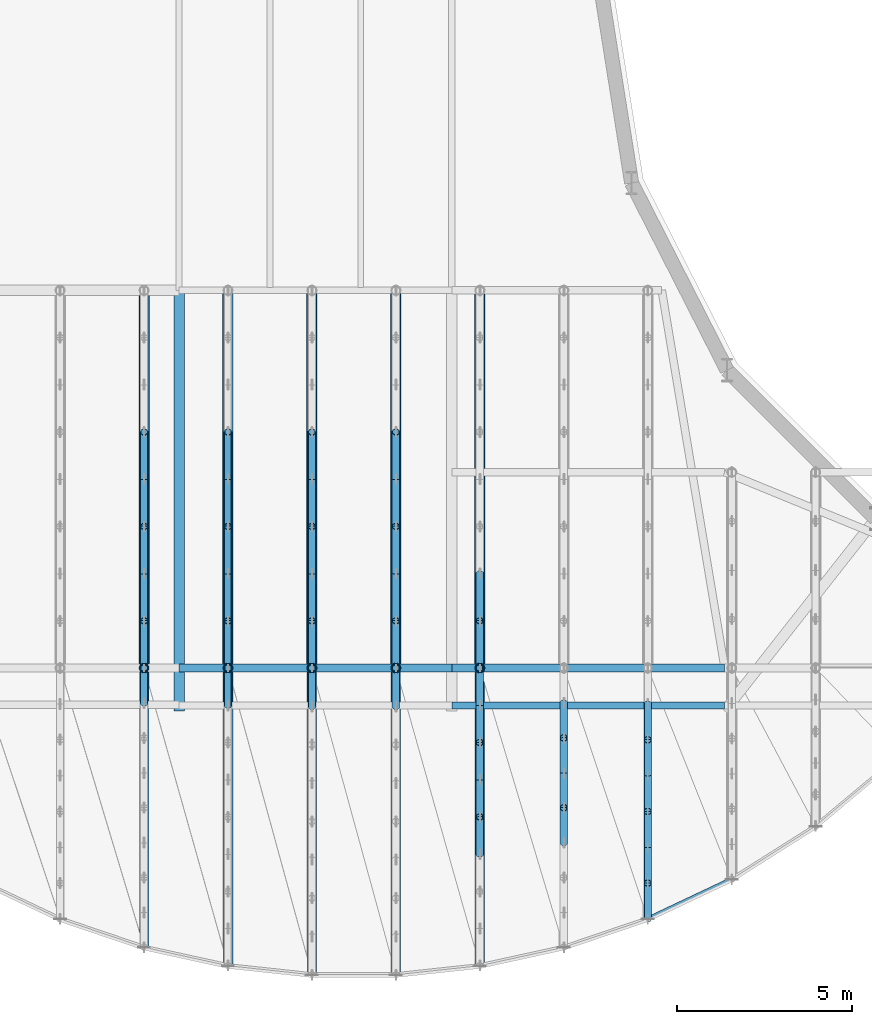
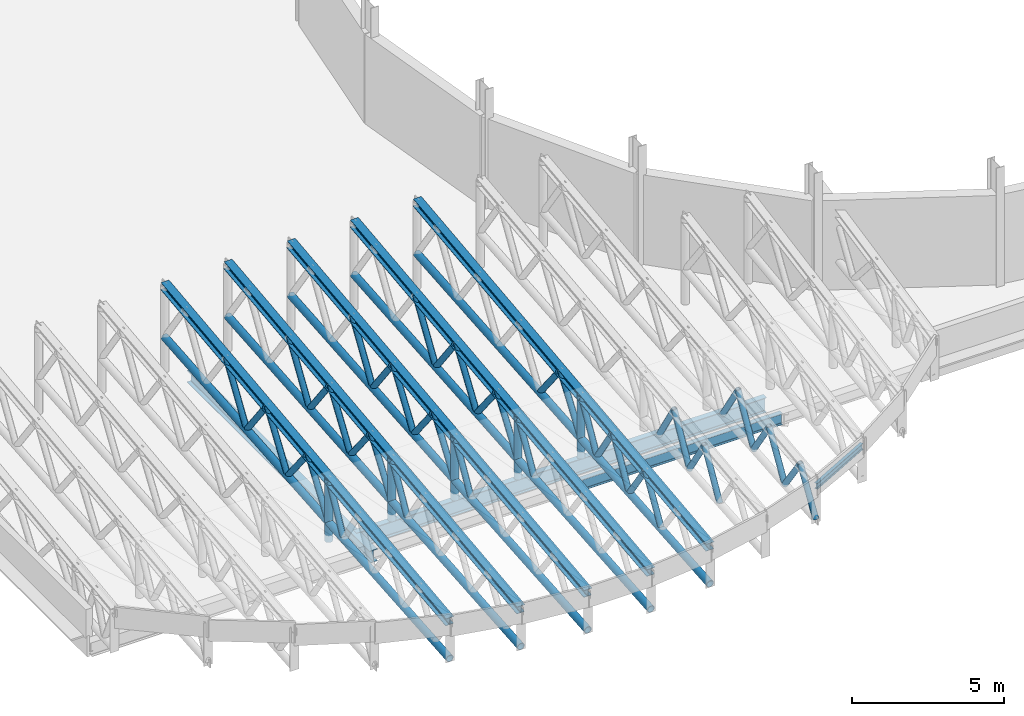
# One storey, part 13 of 58: 47 members, 14 beams.
"""IFC4 building model written with IfcOpenShell, lengths in metres."""

from ifc_helpers import new_model, si_unit, direction, frame, origin, origin_2d, place, context, subcontext, project, spatial, hollow_circle, i_section, extrude, material, material_profile, profile_set, type_object, element, save


model = new_model("IFC4")

# Units and contexts
model_context = context("Model", 3, precision=1e-05, world=origin(), true_north=direction((0.0, 1.0)))
body_context = subcontext(model_context, "Body", "Model", "MODEL_VIEW")
ifc_project = project(units=[si_unit("LENGTHUNIT", "METRE"), si_unit("AREAUNIT", "SQUARE_METRE"), si_unit("VOLUMEUNIT", "CUBIC_METRE"), si_unit("PLANEANGLEUNIT", "RADIAN"), si_unit("MASSUNIT", "GRAM", prefix="KILO")], contexts=[model_context])

# Site, building, storey
site_placement = place(None, origin())
site = spatial("IfcSite", under=ifc_project, at=site_placement, CompositionType="ELEMENT")
building_placement = place(site_placement, origin())
building = spatial("IfcBuilding", under=site, at=building_placement, Name="Sefraquen Railside Congress Hotel", CompositionType="ELEMENT")
storey_placement = place(building_placement, frame((0.0, 0.0, 16.199951171875)))
storey = spatial("IfcBuildingStorey", under=building, at=storey_placement, Name="L03", CompositionType="ELEMENT", Elevation=16.199951171875)

# Beams
ifc_material_1 = material(Name="Steel S355JR", Category="steel")
ifc_material_profile_1 = material_profile(ifc_material_1, i_section(OverallWidth=0.18994140625, OverallDepth=0.449951171875, WebThickness=0.009521484375, FlangeThickness=0.0146484375, FilletRadius=0.02099609375, at=origin_2d()), Name="IPE 450")
ifc_profile_set_1 = profile_set([ifc_material_profile_1], Name="Steel S355JR")
beam_type_1 = type_object("IfcBeamType", Name="TB-BM-450", PredefinedType="BEAM", material=ifc_profile_set_1)
beam_1_placement = place(storey_placement, frame((40.800048828125, 6.128173828125, -0.5048828125), z_axis=(1.0, 0.0, 0.0), x_axis=(0.0, 1.0, 0.0)))
element("IfcBeam", 1, at=beam_1_placement, inside=storey, type_object=beam_type_1, Name="Congress leaning-hull south edge beam L03-03", PredefinedType="BEAM", context=body_context, shape_type="SweptSolid", body=[
    extrude(i_section(OverallWidth=0.18994140625, OverallDepth=0.449951171875, WebThickness=0.009521484375, FlangeThickness=0.0146484375, FilletRadius=0.02099609375, at=origin_2d()), origin(), (0.0, 0.0, 1.0), 7.800048828125),
])
ifc_material_2 = material(Name="Steel S355J2", Category="steel")
ifc_material_profile_2 = material_profile(ifc_material_2, hollow_circle(Radius=0.136474609375, WallThickness=0.012451171875, at=origin_2d()), Name="CHS 273x12.5")
ifc_profile_set_2 = profile_set([ifc_material_profile_2], Name="Steel S355J2")
beam_type_2 = type_object("IfcBeamType", Name="TB-CANT-BOT", PredefinedType="BEAM", material=ifc_profile_set_2)
beam_2_placement = place(storey_placement, frame((32.0, 18.0, 1.35009765625), z_axis=(0.0, -0.99666047707, -0.08165717021), x_axis=(1.0, 0.0, 0.0)))
element("IfcBeam", 2, at=beam_2_placement, inside=storey, type_object=beam_type_2, Name="Canopy cantilever truss continuous bottom chord 05", PredefinedType="BEAM", context=body_context, shape_type="SweptSolid", body=[
    extrude(hollow_circle(Radius=0.136474609375, WallThickness=0.012451171875, at=origin_2d()), origin(), (0.0, 0.0, 1.0), 18.847900390625),
])
beam_3_placement = place(storey_placement, frame((34.39990234375, 18.0, 1.35009765625), z_axis=(0.0, -0.996664816828, -0.08160418431), x_axis=(1.0, 0.0, 0.0)))
element("IfcBeam", 3, at=beam_3_placement, inside=storey, type_object=beam_type_2, Name="Canopy cantilever truss continuous bottom chord 06", PredefinedType="BEAM", context=body_context, shape_type="SweptSolid", body=[
    extrude(hollow_circle(Radius=0.136474609375, WallThickness=0.012451171875, at=origin_2d()), origin(), (0.0, 0.0, 1.0), 19.374755859375),
])
for number, where, z_axis, x_axis, name in (
    (4, (36.800048828125, 18.0, 1.35009765625), (0.0, -0.996669411113, -0.081548053026), (1.0, 0.0, 0.0), "Canopy cantilever truss continuous bottom chord 07"),
    (5, (39.199951171875, 18.0, 1.35009765625), (0.0, -0.996669411113, -0.081548053026), (1.0, 0.0, 0.0), "Canopy cantilever truss continuous bottom chord 08"),
):
    element("IfcBeam", number, at=place(storey_placement, frame(where, z_axis=z_axis, x_axis=x_axis)), inside=storey, type_object=beam_type_2, Name=name, PredefinedType="BEAM", context=body_context, shape_type="SweptSolid", body=[
        extrude(hollow_circle(Radius=0.136474609375, WallThickness=0.012451171875, at=origin_2d()), origin(), (0.0, 0.0, 1.0), 19.633544921875),
    ])
beam_4_placement = place(storey_placement, frame((41.60009765625, 18.0, 1.35009765625), z_axis=(0.0, -0.996664816828, -0.08160418431), x_axis=(1.0, 0.0, 0.0)))
element("IfcBeam", 6, at=beam_4_placement, inside=storey, type_object=beam_type_2, Name="Canopy cantilever truss continuous bottom chord 09", PredefinedType="BEAM", context=body_context, shape_type="SweptSolid", body=[
    extrude(hollow_circle(Radius=0.136474609375, WallThickness=0.012451171875, at=origin_2d()), origin(), (0.0, 0.0, 1.0), 19.374755859375),
])
ifc_material_profile_3 = material_profile(ifc_material_1, i_section(OverallWidth=0.300048828125, OverallDepth=0.31005859375, WebThickness=0.009033203125, FlangeThickness=0.015380859375, FilletRadius=0.027099609375, at=origin_2d()), Name="HEA 320")
ifc_profile_set_3 = profile_set([ifc_material_profile_3], Name="Steel S355JR")
beam_type_3 = type_object("IfcBeamType", Name="TB-CANT-TOP", PredefinedType="BEAM", material=ifc_profile_set_3)
beam_5_placement = place(storey_placement, frame((32.0, 18.0, 3.449951171875), z_axis=(0.0, -0.993579910464, -0.113132495426), x_axis=(1.0, 0.0, 0.0)))
element("IfcBeam", 7, at=beam_5_placement, inside=storey, type_object=beam_type_3, Name="Canopy cantilever truss continuous top chord 05", PredefinedType="BEAM", context=body_context, shape_type="SweptSolid", body=[
    extrude(i_section(OverallWidth=0.300048828125, OverallDepth=0.31005859375, WebThickness=0.009033203125, FlangeThickness=0.015380859375, FilletRadius=0.027099609375, at=origin_2d()), origin(), (0.0, 0.0, 1.0), 18.90625),
])
beam_6_placement = place(storey_placement, frame((34.39990234375, 18.0, 3.449951171875), z_axis=(0.0, -0.993682476595, -0.112228052234), x_axis=(1.0, 0.0, 0.0)))
element("IfcBeam", 8, at=beam_6_placement, inside=storey, type_object=beam_type_3, Name="Canopy cantilever truss continuous top chord 06", PredefinedType="BEAM", context=body_context, shape_type="SweptSolid", body=[
    extrude(i_section(OverallWidth=0.300048828125, OverallDepth=0.31005859375, WebThickness=0.009033203125, FlangeThickness=0.015380859375, FilletRadius=0.027099609375, at=origin_2d()), origin(), (0.0, 0.0, 1.0), 19.432861328125),
])
for number, where, z_axis, x_axis, name in (
    (9, (36.800048828125, 18.0, 3.449951171875), (0.0, -0.993734053391, -0.111770439437), (1.0, 0.0, 0.0), "Canopy cantilever truss continuous top chord 07"),
    (10, (39.199951171875, 18.0, 3.449951171875), (0.0, -0.993734053391, -0.111770439437), (1.0, 0.0, 0.0), "Canopy cantilever truss continuous top chord 08"),
):
    element("IfcBeam", number, at=place(storey_placement, frame(where, z_axis=z_axis, x_axis=x_axis)), inside=storey, type_object=beam_type_3, Name=name, PredefinedType="BEAM", context=body_context, shape_type="SweptSolid", body=[
        extrude(i_section(OverallWidth=0.300048828125, OverallDepth=0.31005859375, WebThickness=0.009033203125, FlangeThickness=0.015380859375, FilletRadius=0.027099609375, at=origin_2d()), origin(), (0.0, 0.0, 1.0), 19.69140625),
    ])
beam_7_placement = place(storey_placement, frame((41.60009765625, 18.0, 3.449951171875), z_axis=(0.0, -0.993682476595, -0.112228052234), x_axis=(1.0, 0.0, 0.0)))
element("IfcBeam", 11, at=beam_7_placement, inside=storey, type_object=beam_type_3, Name="Canopy cantilever truss continuous top chord 09", PredefinedType="BEAM", context=body_context, shape_type="SweptSolid", body=[
    extrude(i_section(OverallWidth=0.300048828125, OverallDepth=0.31005859375, WebThickness=0.009033203125, FlangeThickness=0.015380859375, FilletRadius=0.027099609375, at=origin_2d()), origin(), (0.0, 0.0, 1.0), 19.432861328125),
])
ifc_material_profile_4 = material_profile(ifc_material_1, i_section(OverallWidth=0.300048828125, OverallDepth=0.489990234375, WebThickness=0.011962890625, FlangeThickness=0.02294921875, FilletRadius=0.027099609375, at=origin_2d()), Name="HEA 500")
ifc_profile_set_4 = profile_set([ifc_material_profile_4], Name="Steel S355JR")
beam_type_4 = type_object("IfcBeamType", Name="TB-GIR-500", PredefinedType="T_BEAM", material=ifc_profile_set_4)
beam_8_placement = place(storey_placement, frame((33.0, 5.978515625, -0.52490234375), z_axis=(0.0, 1.0, 0.0), x_axis=(-1.0, 0.0, 0.0)))
element("IfcBeam", 12, at=beam_8_placement, inside=storey, type_object=beam_type_4, Name="Congress leaning-hull diaphragm tie girder S-5 L03", PredefinedType="T_BEAM", context=body_context, shape_type="SweptSolid", body=[
    extrude(i_section(OverallWidth=0.300048828125, OverallDepth=0.489990234375, WebThickness=0.011962890625, FlangeThickness=0.02294921875, FilletRadius=0.027099609375, at=origin_2d()), origin(), (0.0, 0.0, 1.0), 12.021484375),
])
ifc_material_profile_5 = material_profile(ifc_material_1, i_section(OverallWidth=0.219970703125, OverallDepth=0.60009765625, WebThickness=0.011962890625, FlangeThickness=0.01904296875, FilletRadius=0.02392578125, at=origin_2d()), Name="IPE 600")
ifc_profile_set_5 = profile_set([ifc_material_profile_5], Name="Steel S355JR")
beam_type_5 = type_object("IfcBeamType", Name="TB-GIR-600", PredefinedType="T_BEAM", material=ifc_profile_set_5)
for number, where, z_axis, x_axis, name in (
    (13, (33.0, 7.199951171875, -0.579833984375), (1.0, 0.0, 0.0), (0.0, 1.0, 0.0), "Canopy L03 fulcrum header girder 02"),
    (14, (40.800048828125, 7.199951171875, -0.579833984375), (1.0, 0.0, 0.0), (0.0, 1.0, 0.0), "Canopy L03 fulcrum header girder 03"),
):
    element("IfcBeam", number, at=place(storey_placement, frame(where, z_axis=z_axis, x_axis=x_axis)), inside=storey, type_object=beam_type_5, Name=name, PredefinedType="T_BEAM", context=body_context, shape_type="SweptSolid", body=[
        extrude(i_section(OverallWidth=0.219970703125, OverallDepth=0.60009765625, WebThickness=0.011962890625, FlangeThickness=0.01904296875, FilletRadius=0.02392578125, at=origin_2d()), origin(), (0.0, 0.0, 1.0), 7.800048828125),
    ])

# Members
ifc_material_profile_6 = material_profile(ifc_material_2, hollow_circle(Radius=0.109619140625, WallThickness=0.010009765625, at=origin_2d()), Name="CHS 219.1x10")
ifc_profile_set_6 = profile_set([ifc_material_profile_6], Name="Steel S355J2")
member_type_1 = type_object("IfcMemberType", Name="TM-BR-219", PredefinedType="BRACE", material=ifc_profile_set_6)
member_1_placement = place(storey_placement, frame((32.0, 13.949951171875, 2.98876953125), z_axis=(0.0, -0.544185488096, -0.838964930463), x_axis=(1.0, 0.0, 0.0)))
element("IfcMember", 15, at=member_1_placement, inside=storey, type_object=member_type_1, Name="Canopy cantilever truss web diagonal 05.04", PredefinedType="BRACE", context=body_context, shape_type="SweptSolid", body=[
    extrude(hollow_circle(Radius=0.109619140625, WallThickness=0.010009765625, at=origin_2d()), origin(), (0.0, 0.0, 1.0), 2.48046875),
])
member_2_placement = place(storey_placement, frame((32.0, 12.60009765625, 0.90771484375), z_axis=(0.0, -0.605680159853, 0.795708202773), x_axis=(1.0, 0.0, 0.0)))
element("IfcMember", 16, at=member_2_placement, inside=storey, type_object=member_type_1, Name="Canopy cantilever truss web diagonal 05.05", PredefinedType="BRACE", context=body_context, shape_type="SweptSolid", body=[
    extrude(hollow_circle(Radius=0.109619140625, WallThickness=0.010009765625, at=origin_2d()), origin(), (0.0, 0.0, 1.0), 2.22900390625),
])
member_3_placement = place(storey_placement, frame((32.0, 11.25, 2.681396484375), z_axis=(0.0, -0.560487280563, -0.828163032456), x_axis=(1.0, 0.0, 0.0)))
element("IfcMember", 17, at=member_3_placement, inside=storey, type_object=member_type_1, Name="Canopy cantilever truss web diagonal 05.06", PredefinedType="BRACE", context=body_context, shape_type="SweptSolid", body=[
    extrude(hollow_circle(Radius=0.109619140625, WallThickness=0.010009765625, at=origin_2d()), origin(), (0.0, 0.0, 1.0), 2.40869140625),
])
member_4_placement = place(storey_placement, frame((32.0, 9.89990234375, 0.6865234375), z_axis=(0.0, -0.624653713374, 0.780901874994), x_axis=(1.0, 0.0, 0.0)))
element("IfcMember", 18, at=member_4_placement, inside=storey, type_object=member_type_1, Name="Canopy cantilever truss web diagonal 05.07", PredefinedType="BRACE", context=body_context, shape_type="SweptSolid", body=[
    extrude(hollow_circle(Radius=0.109619140625, WallThickness=0.010009765625, at=origin_2d()), origin(), (0.0, 0.0, 1.0), 2.160888671875),
])
member_5_placement = place(storey_placement, frame((32.0, 8.550048828125, 2.3740234375), z_axis=(0.0, -0.577478301783, -0.816406033154), x_axis=(1.0, 0.0, 0.0)))
element("IfcMember", 19, at=member_5_placement, inside=storey, type_object=member_type_1, Name="Canopy cantilever truss web diagonal 05.08", PredefinedType="BRACE", context=body_context, shape_type="SweptSolid", body=[
    extrude(hollow_circle(Radius=0.109619140625, WallThickness=0.010009765625, at=origin_2d()), origin(), (0.0, 0.0, 1.0), 2.337890625),
])
member_6_placement = place(storey_placement, frame((32.0, 7.199951171875, 2.22021484375), z_axis=(0.0, -0.477460397215, -0.878653270119), x_axis=(1.0, 0.0, 0.0)))
element("IfcMember", 20, at=member_6_placement, inside=storey, type_object=member_type_1, Name="Canopy cantilever truss web diagonal 05.09", PredefinedType="BRACE", context=body_context, shape_type="SweptSolid", body=[
    extrude(hollow_circle(Radius=0.109619140625, WallThickness=0.010009765625, at=origin_2d()), origin(), (0.0, 0.0, 1.0), 2.09033203125),
])
member_7_placement = place(storey_placement, frame((34.39990234375, 13.949951171875, 2.99267578125), z_axis=(0.0, -0.543512112046, -0.83940132479), x_axis=(1.0, 0.0, 0.0)))
element("IfcMember", 21, at=member_7_placement, inside=storey, type_object=member_type_1, Name="Canopy cantilever truss web diagonal 06.04", PredefinedType="BRACE", context=body_context, shape_type="SweptSolid", body=[
    extrude(hollow_circle(Radius=0.109619140625, WallThickness=0.010009765625, at=origin_2d()), origin(), (0.0, 0.0, 1.0), 2.483642578125),
])
member_8_placement = place(storey_placement, frame((34.39990234375, 12.60009765625, 0.907958984375), z_axis=(0.0, -0.604362561467, 0.796709416473), x_axis=(1.0, 0.0, 0.0)))
element("IfcMember", 22, at=member_8_placement, inside=storey, type_object=member_type_1, Name="Canopy cantilever truss web diagonal 06.05", PredefinedType="BRACE", context=body_context, shape_type="SweptSolid", body=[
    extrude(hollow_circle(Radius=0.109619140625, WallThickness=0.010009765625, at=origin_2d()), origin(), (0.0, 0.0, 1.0), 2.23388671875),
])
member_9_placement = place(storey_placement, frame((34.39990234375, 11.25, 2.687744140625), z_axis=(0.0, -0.559359930014, -0.828924887245), x_axis=(1.0, 0.0, 0.0)))
element("IfcMember", 23, at=member_9_placement, inside=storey, type_object=member_type_1, Name="Canopy cantilever truss web diagonal 06.06", PredefinedType="BRACE", context=body_context, shape_type="SweptSolid", body=[
    extrude(hollow_circle(Radius=0.109619140625, WallThickness=0.010009765625, at=origin_2d()), origin(), (0.0, 0.0, 1.0), 2.41357421875),
])
member_10_placement = place(storey_placement, frame((34.39990234375, 9.89990234375, 0.68701171875), z_axis=(0.0, -0.622783803118, 0.78239397657), x_axis=(1.0, 0.0, 0.0)))
element("IfcMember", 24, at=member_10_placement, inside=storey, type_object=member_type_1, Name="Canopy cantilever truss web diagonal 06.07", PredefinedType="BRACE", context=body_context, shape_type="SweptSolid", body=[
    extrude(hollow_circle(Radius=0.109619140625, WallThickness=0.010009765625, at=origin_2d()), origin(), (0.0, 0.0, 1.0), 2.16748046875),
])
member_11_placement = place(storey_placement, frame((34.39990234375, 8.550048828125, 2.3828125), z_axis=(0.0, -0.575808029475, -0.817584927204), x_axis=(1.0, 0.0, 0.0)))
element("IfcMember", 25, at=member_11_placement, inside=storey, type_object=member_type_1, Name="Canopy cantilever truss web diagonal 06.08", PredefinedType="BRACE", context=body_context, shape_type="SweptSolid", body=[
    extrude(hollow_circle(Radius=0.109619140625, WallThickness=0.010009765625, at=origin_2d()), origin(), (0.0, 0.0, 1.0), 2.3447265625),
])
member_12_placement = place(storey_placement, frame((34.39990234375, 7.199951171875, 2.230224609375), z_axis=(0.0, -0.498144579444, -0.867093984508), x_axis=(1.0, 0.0, 0.0)))
element("IfcMember", 26, at=member_12_placement, inside=storey, type_object=member_type_1, Name="Canopy cantilever truss web diagonal 06.09", PredefinedType="BRACE", context=body_context, shape_type="SweptSolid", body=[
    extrude(hollow_circle(Radius=0.109619140625, WallThickness=0.010009765625, at=origin_2d()), origin(), (0.0, 0.0, 1.0), 2.13525390625),
])
member_13_placement = place(storey_placement, frame((36.800048828125, 13.949951171875, 2.994384765625), z_axis=(0.0, -0.543243130288, -0.839575429247), x_axis=(1.0, 0.0, 0.0)))
element("IfcMember", 27, at=member_13_placement, inside=storey, type_object=member_type_1, Name="Canopy cantilever truss web diagonal 07.04", PredefinedType="BRACE", context=body_context, shape_type="SweptSolid", body=[
    extrude(hollow_circle(Radius=0.109619140625, WallThickness=0.010009765625, at=origin_2d()), origin(), (0.0, 0.0, 1.0), 2.48486328125),
])
member_14_placement = place(storey_placement, frame((36.800048828125, 12.60009765625, 0.908203125), z_axis=(0.0, -0.603784110856, 0.797147883067), x_axis=(1.0, 0.0, 0.0)))
element("IfcMember", 28, at=member_14_placement, inside=storey, type_object=member_type_1, Name="Canopy cantilever truss web diagonal 07.05", PredefinedType="BRACE", context=body_context, shape_type="SweptSolid", body=[
    extrude(hollow_circle(Radius=0.109619140625, WallThickness=0.010009765625, at=origin_2d()), origin(), (0.0, 0.0, 1.0), 2.236083984375),
])
member_15_placement = place(storey_placement, frame((36.800048828125, 11.25, 2.690673828125), z_axis=(0.0, -0.558844397466, -0.829272536276), x_axis=(1.0, 0.0, 0.0)))
element("IfcMember", 29, at=member_15_placement, inside=storey, type_object=member_type_1, Name="Canopy cantilever truss web diagonal 07.06", PredefinedType="BRACE", context=body_context, shape_type="SweptSolid", body=[
    extrude(hollow_circle(Radius=0.109619140625, WallThickness=0.010009765625, at=origin_2d()), origin(), (0.0, 0.0, 1.0), 2.415771484375),
])
member_16_placement = place(storey_placement, frame((36.800048828125, 9.89990234375, 0.687255859375), z_axis=(0.0, -0.621906489284, 0.783091513545), x_axis=(1.0, 0.0, 0.0)))
element("IfcMember", 30, at=member_16_placement, inside=storey, type_object=member_type_1, Name="Canopy cantilever truss web diagonal 07.07", PredefinedType="BRACE", context=body_context, shape_type="SweptSolid", body=[
    extrude(hollow_circle(Radius=0.109619140625, WallThickness=0.010009765625, at=origin_2d()), origin(), (0.0, 0.0, 1.0), 2.17041015625),
])
member_17_placement = place(storey_placement, frame((36.800048828125, 8.550048828125, 2.386962890625), z_axis=(0.0, -0.575122380294, -0.818067385785), x_axis=(1.0, 0.0, 0.0)))
element("IfcMember", 31, at=member_17_placement, inside=storey, type_object=member_type_1, Name="Canopy cantilever truss web diagonal 07.08", PredefinedType="BRACE", context=body_context, shape_type="SweptSolid", body=[
    extrude(hollow_circle(Radius=0.109619140625, WallThickness=0.010009765625, at=origin_2d()), origin(), (0.0, 0.0, 1.0), 2.347412109375),
])
member_18_placement = place(storey_placement, frame((36.800048828125, 7.199951171875, 2.2353515625), z_axis=(0.0, -0.507924746292, -0.861401446541), x_axis=(1.0, 0.0, 0.0)))
element("IfcMember", 32, at=member_18_placement, inside=storey, type_object=member_type_1, Name="Canopy cantilever truss web diagonal 07.09", PredefinedType="BRACE", context=body_context, shape_type="SweptSolid", body=[
    extrude(hollow_circle(Radius=0.109619140625, WallThickness=0.010009765625, at=origin_2d()), origin(), (0.0, 0.0, 1.0), 2.15771484375),
])
member_19_placement = place(storey_placement, frame((39.199951171875, 13.949951171875, 2.994384765625), z_axis=(0.0, -0.543243130288, -0.839575429247), x_axis=(1.0, 0.0, 0.0)))
element("IfcMember", 33, at=member_19_placement, inside=storey, type_object=member_type_1, Name="Canopy cantilever truss web diagonal 08.04", PredefinedType="BRACE", context=body_context, shape_type="SweptSolid", body=[
    extrude(hollow_circle(Radius=0.109619140625, WallThickness=0.010009765625, at=origin_2d()), origin(), (0.0, 0.0, 1.0), 2.48486328125),
])
member_20_placement = place(storey_placement, frame((39.199951171875, 12.60009765625, 0.908203125), z_axis=(0.0, -0.603784110856, 0.797147883067), x_axis=(1.0, 0.0, 0.0)))
element("IfcMember", 34, at=member_20_placement, inside=storey, type_object=member_type_1, Name="Canopy cantilever truss web diagonal 08.05", PredefinedType="BRACE", context=body_context, shape_type="SweptSolid", body=[
    extrude(hollow_circle(Radius=0.109619140625, WallThickness=0.010009765625, at=origin_2d()), origin(), (0.0, 0.0, 1.0), 2.236083984375),
])
member_21_placement = place(storey_placement, frame((39.199951171875, 11.25, 2.690673828125), z_axis=(0.0, -0.558844397466, -0.829272536276), x_axis=(1.0, 0.0, 0.0)))
element("IfcMember", 35, at=member_21_placement, inside=storey, type_object=member_type_1, Name="Canopy cantilever truss web diagonal 08.06", PredefinedType="BRACE", context=body_context, shape_type="SweptSolid", body=[
    extrude(hollow_circle(Radius=0.109619140625, WallThickness=0.010009765625, at=origin_2d()), origin(), (0.0, 0.0, 1.0), 2.415771484375),
])
member_22_placement = place(storey_placement, frame((39.199951171875, 9.89990234375, 0.687255859375), z_axis=(0.0, -0.621906489284, 0.783091513545), x_axis=(1.0, 0.0, 0.0)))
element("IfcMember", 36, at=member_22_placement, inside=storey, type_object=member_type_1, Name="Canopy cantilever truss web diagonal 08.07", PredefinedType="BRACE", context=body_context, shape_type="SweptSolid", body=[
    extrude(hollow_circle(Radius=0.109619140625, WallThickness=0.010009765625, at=origin_2d()), origin(), (0.0, 0.0, 1.0), 2.17041015625),
])
member_23_placement = place(storey_placement, frame((39.199951171875, 8.550048828125, 2.386962890625), z_axis=(0.0, -0.575122380294, -0.818067385785), x_axis=(1.0, 0.0, 0.0)))
element("IfcMember", 37, at=member_23_placement, inside=storey, type_object=member_type_1, Name="Canopy cantilever truss web diagonal 08.08", PredefinedType="BRACE", context=body_context, shape_type="SweptSolid", body=[
    extrude(hollow_circle(Radius=0.109619140625, WallThickness=0.010009765625, at=origin_2d()), origin(), (0.0, 0.0, 1.0), 2.347412109375),
])
member_24_placement = place(storey_placement, frame((39.199951171875, 7.199951171875, 2.2353515625), z_axis=(0.0, -0.507924746292, -0.861401446541), x_axis=(1.0, 0.0, 0.0)))
element("IfcMember", 38, at=member_24_placement, inside=storey, type_object=member_type_1, Name="Canopy cantilever truss web diagonal 08.09", PredefinedType="BRACE", context=body_context, shape_type="SweptSolid", body=[
    extrude(hollow_circle(Radius=0.109619140625, WallThickness=0.010009765625, at=origin_2d()), origin(), (0.0, 0.0, 1.0), 2.15771484375),
])
member_25_placement = place(storey_placement, frame((41.60009765625, 9.89990234375, 0.68701171875), z_axis=(0.0, -0.622783803118, 0.78239397657), x_axis=(1.0, 0.0, 0.0)))
element("IfcMember", 39, at=member_25_placement, inside=storey, type_object=member_type_1, Name="Canopy cantilever truss web diagonal 09.07", PredefinedType="BRACE", context=body_context, shape_type="SweptSolid", body=[
    extrude(hollow_circle(Radius=0.109619140625, WallThickness=0.010009765625, at=origin_2d()), origin(), (0.0, 0.0, 1.0), 2.16748046875),
])
member_26_placement = place(storey_placement, frame((41.60009765625, 8.550048828125, 2.3828125), z_axis=(0.0, -0.575808029475, -0.817584927204), x_axis=(1.0, 0.0, 0.0)))
element("IfcMember", 40, at=member_26_placement, inside=storey, type_object=member_type_1, Name="Canopy cantilever truss web diagonal 09.08", PredefinedType="BRACE", context=body_context, shape_type="SweptSolid", body=[
    extrude(hollow_circle(Radius=0.109619140625, WallThickness=0.010009765625, at=origin_2d()), origin(), (0.0, 0.0, 1.0), 2.3447265625),
])
member_27_placement = place(storey_placement, frame((41.60009765625, 7.199951171875, 2.230224609375), z_axis=(0.0, -0.498144579444, -0.867093984508), x_axis=(1.0, 0.0, 0.0)))
element("IfcMember", 41, at=member_27_placement, inside=storey, type_object=member_type_1, Name="Canopy cantilever truss web diagonal 09.09", PredefinedType="BRACE", context=body_context, shape_type="SweptSolid", body=[
    extrude(hollow_circle(Radius=0.109619140625, WallThickness=0.010009765625, at=origin_2d()), origin(), (0.0, 0.0, 1.0), 2.13525390625),
])
member_28_placement = place(storey_placement, frame((41.60009765625, 6.13623046875, 0.378662109375), z_axis=(0.0, -0.550930284925, 0.834551269337), x_axis=(1.0, 0.0, 0.0)))
element("IfcMember", 42, at=member_28_placement, inside=storey, type_object=member_type_1, Name="Canopy cantilever truss web diagonal 09.10", PredefinedType="BRACE", context=body_context, shape_type="SweptSolid", body=[
    extrude(hollow_circle(Radius=0.109619140625, WallThickness=0.010009765625, at=origin_2d()), origin(), (0.0, 0.0, 1.0), 1.9306640625),
])
member_29_placement = place(storey_placement, frame((41.60009765625, 5.072509765625, 1.989990234375), z_axis=(0.0, -0.51183284571, -0.859085058683), x_axis=(1.0, 0.0, 0.0)))
element("IfcMember", 43, at=member_29_placement, inside=storey, type_object=member_type_1, Name="Canopy cantilever truss web diagonal 09.11", PredefinedType="BRACE", context=body_context, shape_type="SweptSolid", body=[
    extrude(hollow_circle(Radius=0.109619140625, WallThickness=0.010009765625, at=origin_2d()), origin(), (0.0, 0.0, 1.0), 2.078369140625),
])
member_30_placement = place(storey_placement, frame((41.60009765625, 4.0087890625, 0.20458984375), z_axis=(0.0, -0.567042389138, 0.823688611625), x_axis=(1.0, 0.0, 0.0)))
element("IfcMember", 44, at=member_30_placement, inside=storey, type_object=member_type_1, Name="Canopy cantilever truss web diagonal 09.12", PredefinedType="BRACE", context=body_context, shape_type="SweptSolid", body=[
    extrude(hollow_circle(Radius=0.109619140625, WallThickness=0.010009765625, at=origin_2d()), origin(), (0.0, 0.0, 1.0), 1.8759765625),
])
member_31_placement = place(storey_placement, frame((41.60009765625, 2.945068359375, 1.749755859375), z_axis=(0.0, -0.526096863802, -0.850424652687), x_axis=(1.0, 0.0, 0.0)))
element("IfcMember", 45, at=member_31_placement, inside=storey, type_object=member_type_1, Name="Canopy cantilever truss web diagonal 09.13", PredefinedType="BRACE", context=body_context, shape_type="SweptSolid", body=[
    extrude(hollow_circle(Radius=0.109619140625, WallThickness=0.010009765625, at=origin_2d()), origin(), (0.0, 0.0, 1.0), 2.02197265625),
])
member_32_placement = place(storey_placement, frame((44.0, 6.201904296875, 0.383544921875), z_axis=(0.0, -0.527029065083, 0.849847259546), x_axis=(1.0, 0.0, 0.0)))
element("IfcMember", 46, at=member_32_placement, inside=storey, type_object=member_type_1, Name="Canopy cantilever truss web diagonal 10.10", PredefinedType="BRACE", context=body_context, shape_type="SweptSolid", body=[
    extrude(hollow_circle(Radius=0.109619140625, WallThickness=0.010009765625, at=origin_2d()), origin(), (0.0, 0.0, 1.0), 1.893798828125),
])
member_33_placement = place(storey_placement, frame((44.0, 5.203857421875, 1.992919921875), z_axis=(0.0, -0.490637184942, -0.871363961128), x_axis=(1.0, 0.0, 0.0)))
element("IfcMember", 47, at=member_33_placement, inside=storey, type_object=member_type_1, Name="Canopy cantilever truss web diagonal 10.11", PredefinedType="BRACE", context=body_context, shape_type="SweptSolid", body=[
    extrude(hollow_circle(Radius=0.109619140625, WallThickness=0.010009765625, at=origin_2d()), origin(), (0.0, 0.0, 1.0), 2.03466796875),
])
member_34_placement = place(storey_placement, frame((44.0, 4.20556640625, 0.219970703125), z_axis=(0.0, -0.542453250416, 0.840085990309), x_axis=(1.0, 0.0, 0.0)))
element("IfcMember", 48, at=member_34_placement, inside=storey, type_object=member_type_1, Name="Canopy cantilever truss web diagonal 10.12", PredefinedType="BRACE", context=body_context, shape_type="SweptSolid", body=[
    extrude(hollow_circle(Radius=0.109619140625, WallThickness=0.010009765625, at=origin_2d()), origin(), (0.0, 0.0, 1.0), 1.83984375),
])
member_35_placement = place(storey_placement, frame((44.0, 3.20751953125, 1.765625), z_axis=(0.0, -0.504246773929, -0.863559604765), x_axis=(1.0, 0.0, 0.0)))
element("IfcMember", 49, at=member_35_placement, inside=storey, type_object=member_type_1, Name="Canopy cantilever truss web diagonal 10.13", PredefinedType="BRACE", context=body_context, shape_type="SweptSolid", body=[
    extrude(hollow_circle(Radius=0.109619140625, WallThickness=0.010009765625, at=origin_2d()), origin(), (0.0, 0.0, 1.0), 1.979248046875),
])
member_36_placement = place(storey_placement, frame((46.39990234375, 6.17529296875, 0.38037109375), z_axis=(0.0, -0.542441825199, 0.840093367594), x_axis=(1.0, 0.0, 0.0)))
element("IfcMember", 50, at=member_36_placement, inside=storey, type_object=member_type_1, Name="Canopy cantilever truss web diagonal 11.10", PredefinedType="BRACE", context=body_context, shape_type="SweptSolid", body=[
    extrude(hollow_circle(Radius=0.109619140625, WallThickness=0.010009765625, at=origin_2d()), origin(), (0.0, 0.0, 1.0), 1.888916015625),
])
member_37_placement = place(storey_placement, frame((46.39990234375, 5.150634765625, 1.96728515625), z_axis=(0.0, -0.504177226901, -0.863600210673), x_axis=(1.0, 0.0, 0.0)))
element("IfcMember", 51, at=member_37_placement, inside=storey, type_object=member_type_1, Name="Canopy cantilever truss web diagonal 11.11", PredefinedType="BRACE", context=body_context, shape_type="SweptSolid", body=[
    extrude(hollow_circle(Radius=0.109619140625, WallThickness=0.010009765625, at=origin_2d()), origin(), (0.0, 0.0, 1.0), 2.0322265625),
])
member_38_placement = place(storey_placement, frame((46.39990234375, 4.1259765625, 0.212158203125), z_axis=(0.0, -0.559427079865, 0.828879570453), x_axis=(1.0, 0.0, 0.0)))
element("IfcMember", 52, at=member_38_placement, inside=storey, type_object=member_type_1, Name="Canopy cantilever truss web diagonal 11.12", PredefinedType="BRACE", context=body_context, shape_type="SweptSolid", body=[
    extrude(hollow_circle(Radius=0.109619140625, WallThickness=0.010009765625, at=origin_2d()), origin(), (0.0, 0.0, 1.0), 1.83203125),
])
member_39_placement = place(storey_placement, frame((46.39990234375, 3.10107421875, 1.730712890625), z_axis=(0.0, -0.519236380837, -0.854630669246), x_axis=(1.0, 0.0, 0.0)))
element("IfcMember", 53, at=member_39_placement, inside=storey, type_object=member_type_1, Name="Canopy cantilever truss web diagonal 11.13", PredefinedType="BRACE", context=body_context, shape_type="SweptSolid", body=[
    extrude(hollow_circle(Radius=0.109619140625, WallThickness=0.010009765625, at=origin_2d()), origin(), (0.0, 0.0, 1.0), 1.973388671875),
])
member_40_placement = place(storey_placement, frame((46.39990234375, 2.076416015625, 0.044189453125), z_axis=(0.0, -0.577120408975, 0.816659068121), x_axis=(1.0, 0.0, 0.0)))
element("IfcMember", 54, at=member_40_placement, inside=storey, type_object=member_type_1, Name="Canopy cantilever truss web diagonal 11.14", PredefinedType="BRACE", context=body_context, shape_type="SweptSolid", body=[
    extrude(hollow_circle(Radius=0.109619140625, WallThickness=0.010009765625, at=origin_2d()), origin(), (0.0, 0.0, 1.0), 1.775390625),
])
member_41_placement = place(storey_placement, frame((46.39990234375, 1.0517578125, 1.494140625), z_axis=(0.0, -0.534985363242, -0.84486132656), x_axis=(1.0, 0.0, 0.0)))
element("IfcMember", 55, at=member_41_placement, inside=storey, type_object=member_type_1, Name="Canopy cantilever truss web diagonal 11.15", PredefinedType="BRACE", context=body_context, shape_type="SweptSolid", body=[
    extrude(hollow_circle(Radius=0.109619140625, WallThickness=0.010009765625, at=origin_2d()), origin(), (0.0, 0.0, 1.0), 1.915283203125),
])
ifc_material_profile_7 = material_profile(ifc_material_2, hollow_circle(Radius=0.136474609375, WallThickness=0.012451171875, at=origin_2d()), Name="CHS 273x12.5")
ifc_profile_set_7 = profile_set([ifc_material_profile_7], Name="Steel S355J2")
member_type_2 = type_object("IfcMemberType", Name="TM-CANT-CHORD", PredefinedType="CHORD", material=ifc_profile_set_7)
member_42_placement = place(storey_placement, frame((32.0, 7.199951171875, -0.280029296875), z_axis=(0.0, 0.0, 1.0), x_axis=(1.0, 0.0, 0.0)))
element("IfcMember", 56, at=member_42_placement, inside=storey, type_object=member_type_2, Name="Canopy truss fulcrum post B-05", PredefinedType="CHORD", context=body_context, shape_type="SweptSolid", body=[
    extrude(hollow_circle(Radius=0.136474609375, WallThickness=0.012451171875, at=origin_2d()), origin(), (0.0, 0.0, 1.0), 2.500244140625),
])
member_43_placement = place(storey_placement, frame((34.39990234375, 7.199951171875, -0.280029296875), z_axis=(0.0, 0.0, 1.0), x_axis=(1.0, 0.0, 0.0)))
element("IfcMember", 57, at=member_43_placement, inside=storey, type_object=member_type_2, Name="Canopy truss fulcrum post B-06", PredefinedType="CHORD", context=body_context, shape_type="SweptSolid", body=[
    extrude(hollow_circle(Radius=0.136474609375, WallThickness=0.012451171875, at=origin_2d()), origin(), (0.0, 0.0, 1.0), 2.51025390625),
])
for number, where, z_axis, x_axis, name in (
    (58, (36.800048828125, 7.199951171875, -0.280029296875), (0.0, 0.0, 1.0), (1.0, 0.0, 0.0), "Canopy truss fulcrum post B-07"),
    (59, (39.199951171875, 7.199951171875, -0.280029296875), (0.0, 0.0, 1.0), (1.0, 0.0, 0.0), "Canopy truss fulcrum post B-08"),
):
    element("IfcMember", number, at=place(storey_placement, frame(where, z_axis=z_axis, x_axis=x_axis)), inside=storey, type_object=member_type_2, Name=name, PredefinedType="CHORD", context=body_context, shape_type="SweptSolid", body=[
        extrude(hollow_circle(Radius=0.136474609375, WallThickness=0.012451171875, at=origin_2d()), origin(), (0.0, 0.0, 1.0), 2.515380859375),
    ])
member_44_placement = place(storey_placement, frame((41.60009765625, 7.199951171875, -0.280029296875), z_axis=(0.0, 0.0, 1.0), x_axis=(1.0, 0.0, 0.0)))
element("IfcMember", 60, at=member_44_placement, inside=storey, type_object=member_type_2, Name="Canopy truss fulcrum post B-09", PredefinedType="CHORD", context=body_context, shape_type="SweptSolid", body=[
    extrude(hollow_circle(Radius=0.136474609375, WallThickness=0.012451171875, at=origin_2d()), origin(), (0.0, 0.0, 1.0), 2.51025390625),
])
ifc_material_profile_8 = material_profile(ifc_material_1, i_section(OverallWidth=0.1201171875, OverallDepth=0.239990234375, WebThickness=0.006103515625, FlangeThickness=0.009765625, FilletRadius=0.014892578125, at=origin_2d()), Name="IPE 240")
ifc_profile_set_8 = profile_set([ifc_material_profile_8], Name="Steel S355JR")
member_type_3 = type_object("IfcMemberType", Name="TM-PUR-240", PredefinedType="PURLIN", material=ifc_profile_set_8)
member_45_placement = place(storey_placement, frame((46.39990234375, 0.027099609375, 1.216064453125), z_axis=(0.903660802008, 0.426874251299, 0.034285980994), x_axis=(-0.427125374145, 0.904192410254, 0.0)))
element("IfcMember", 61, at=member_45_placement, inside=storey, type_object=member_type_3, Name="Sweeping canopy front edge purlin 11", PredefinedType="PURLIN", context=body_context, shape_type="SweptSolid", body=[
    extrude(i_section(OverallWidth=0.1201171875, OverallDepth=0.239990234375, WebThickness=0.006103515625, FlangeThickness=0.009765625, FilletRadius=0.014892578125, at=origin_2d()), origin(), (0.0, 0.0, 1.0), 2.656005859375),
])

save(model, "model.ifc")
